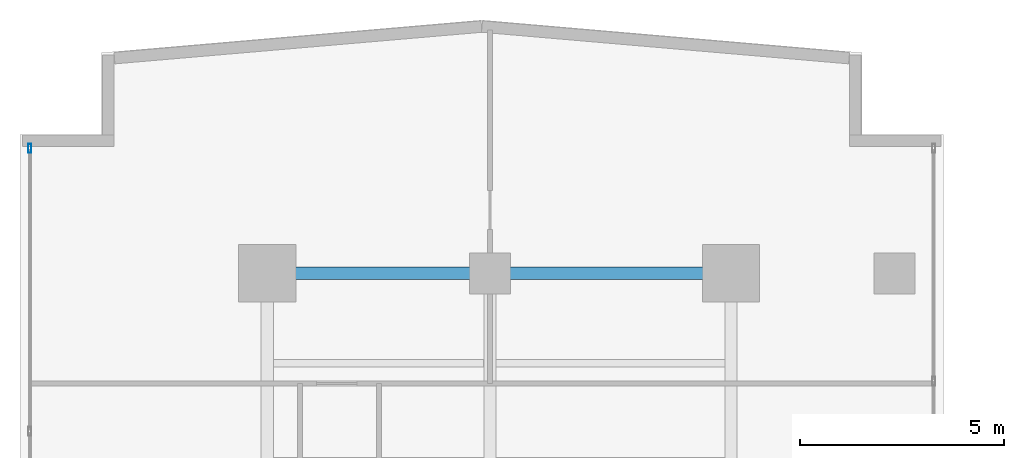
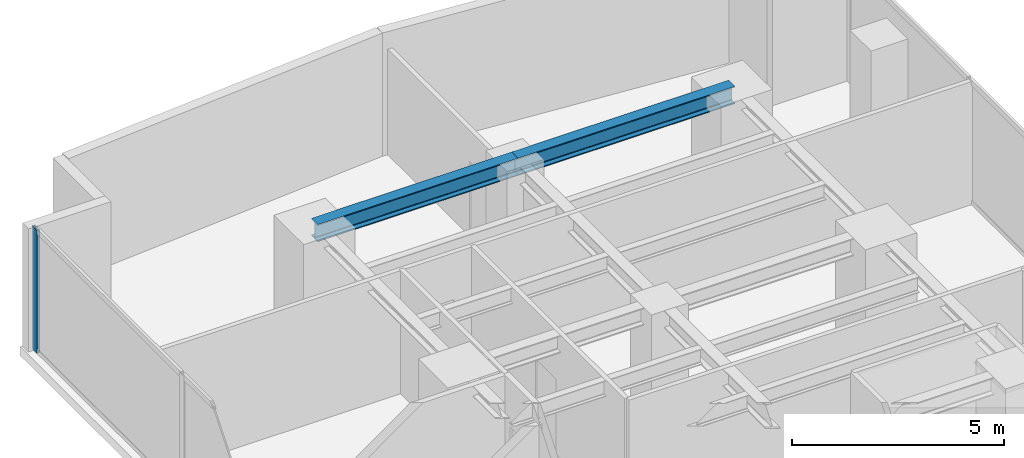
# One storey, part 17 of 28: 2 beams, 1 member, 1 element without a shape of its own.
"""IFC4 building model written with IfcOpenShell, lengths in metres."""

from ifc_helpers import new_model, si_unit, direction, frame, origin, origin_with_axes, origin_2d, place, context, subcontext, project, spatial, hollow_rectangle, i_section, extrude, source, transform, mapped, material, layer, layer_set, material_profile, profile_set, type_object, element, aggregate, save


model = new_model("IFC4")

# Units and contexts
model_context = context("Model", 3, precision=1e-05, world=origin(), true_north=direction((0.0, 1.0)))
body_context = subcontext(model_context, "Body", "Model", "MODEL_VIEW")
ifc_project = project(units=[si_unit("LENGTHUNIT", "METRE"), si_unit("AREAUNIT", "SQUARE_METRE"), si_unit("VOLUMEUNIT", "CUBIC_METRE"), si_unit("PLANEANGLEUNIT", "RADIAN"), si_unit("MASSUNIT", "GRAM", prefix="KILO")], contexts=[model_context])

# Site, building, storey
site_placement = place(None, origin())
site = spatial("IfcSite", under=ifc_project, at=site_placement, CompositionType="ELEMENT")
building_placement = place(site_placement, origin())
building = spatial("IfcBuilding", under=site, at=building_placement, Name="Kolvaren Waterfront Exchange", CompositionType="ELEMENT")
storey_placement = place(building_placement, frame((0.0, 0.0, 133.5)))
storey = spatial("IfcBuildingStorey", under=building, at=storey_placement, Name="L34", CompositionType="ELEMENT", Elevation=133.5)

# Beams
ifc_material_1 = material(Name="Steel S355", Category="steel")
ifc_material_profile_1 = material_profile(ifc_material_1, i_section(OverallWidth=0.300048828125, OverallDepth=0.5, WebThickness=0.014404296875, FlangeThickness=0.028076171875, FilletRadius=0.027099609375, at=origin_2d()), Name="HEB500")
ifc_profile_set_1 = profile_set([ifc_material_profile_1], Name="Steel S355")
beam_type = type_object("IfcBeamType", Name="STR-BM-HEB500", PredefinedType="BEAM", material=ifc_profile_set_1)
beam_1_placement = place(storey_placement, frame((7.449951171875, 44.60009765625, 3.2900390625), z_axis=(1.0, 0.0, 0.0), x_axis=(0.0, 1.0, 0.0)))
element("IfcBeam", 1, at=beam_1_placement, inside=storey, type_object=beam_type, Name="L34 north-arm girder 4A", PredefinedType="BEAM", context=body_context, shape_type="SweptSolid", body=[
    extrude(i_section(OverallWidth=0.300048828125, OverallDepth=0.5, WebThickness=0.014404296875, FlangeThickness=0.028076171875, FilletRadius=0.027099609375, at=origin_2d()), origin(), (0.0, 0.0, 1.0), 5.449951171875),
])
beam_2_placement = place(storey_placement, frame((12.89990234375, 44.60009765625, 3.2900390625), z_axis=(1.0, 0.0, 0.0), x_axis=(0.0, 1.0, 0.0)))
element("IfcBeam", 2, at=beam_2_placement, inside=storey, type_object=beam_type, Name="L34 north-arm girder 4B", PredefinedType="BEAM", context=body_context, shape_type="SweptSolid", body=[
    extrude(i_section(OverallWidth=0.300048828125, OverallDepth=0.5, WebThickness=0.014404296875, FlangeThickness=0.028076171875, FilletRadius=0.027099609375, at=origin_2d()), origin(), (0.0, 0.0, 1.0), 5.900146484375),
])

# Curtain wall, member
ifc_material_2 = material(Name="Anodised aluminium 6063-T6", Category="aluminium")
ifc_layer = layer(ifc_material_2, 0.219970703125, Name="Anodised aluminium 6063-T6")
ifc_layer_set = layer_set([ifc_layer], Name="Anodised aluminium 6063-T6")
curtain_wall_type = type_object("IfcCurtainWallType", Name="ARC-CW-SYS2", PredefinedType="USERDEFINED", material=ifc_layer_set)
curtain_wall_placement = place(storey_placement, origin())
curtain_wall = element("IfcCurtainWall", 3, at=curtain_wall_placement, inside=storey, type_object=curtain_wall_type, Name="L34 stick curtain wall CW2 (CW-L34-W)", ObjectType="STICK CURTAIN WALL", PredefinedType="USERDEFINED")
ifc_material_profile_2 = material_profile(ifc_material_2, hollow_rectangle(XDim=0.080078125, YDim=0.219970703125, WallThickness=0.0048828125, at=origin_2d()), Name="ALU-MUL-220x80x5")
ifc_profile_set_2 = profile_set([ifc_material_profile_2], Name="Anodised aluminium 6063-T6")
member_type = type_object("IfcMemberType", Name="ARC-CWM-220", PredefinedType="MULLION", material=ifc_profile_set_2)
shared_shape = source(origin_with_axes(), body_context, "Body", "SweptSolid", [
    extrude(hollow_rectangle(XDim=0.080078125, YDim=0.219970703125, WallThickness=0.0048828125, at=origin_2d()), origin(), (0.0, 0.0, 1.0), 3.5400390625),
])
member_placement = place(storey_placement, frame((1.639892578125, 47.659912109375, 0.0), z_axis=(0.0, 0.0, 1.0), x_axis=(-1.0, 0.0, 0.0)))
member = element("IfcMember", 4, at=member_placement, type_object=member_type, Name="CW2 mullion 7", PredefinedType="MULLION", context=body_context, shape_type="MappedRepresentation", body=[
    mapped(shared_shape, transform((0.0, 0.0, 0.0), x_axis=(1.0, 0.0, 0.0), y_axis=(0.0, 1.0, 0.0), z_axis=(0.0, 0.0, 1.0), scale=1.0)),
])
aggregate(curtain_wall, [member])

save(model, "model.ifc")
